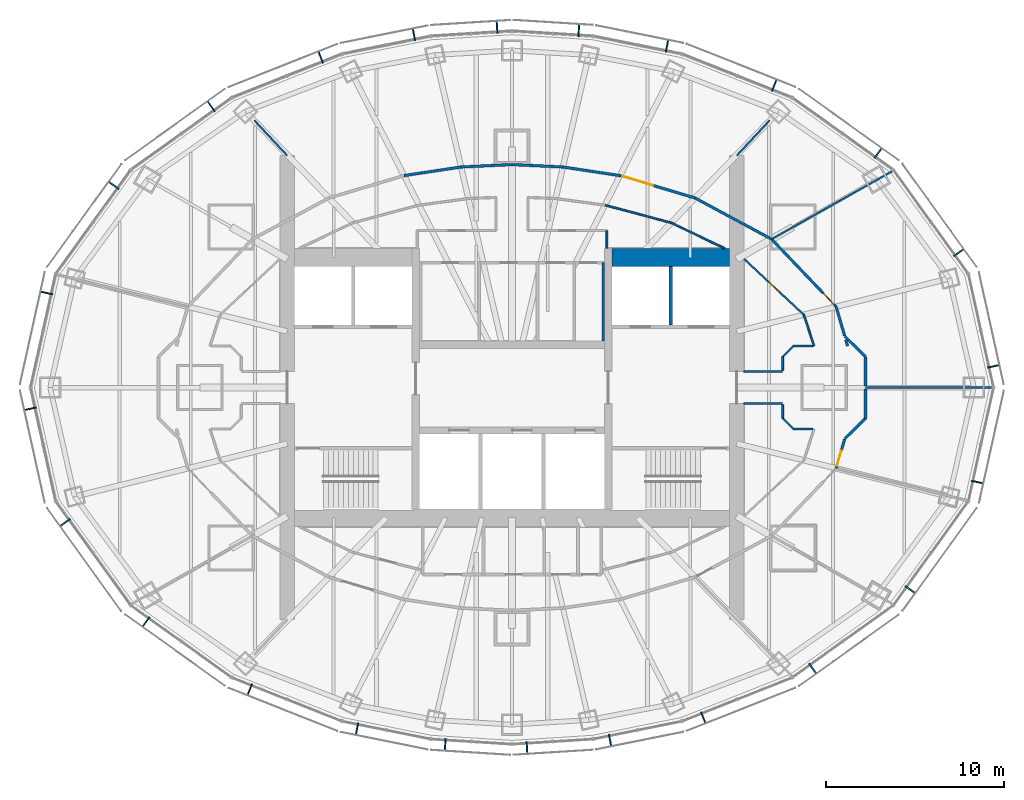
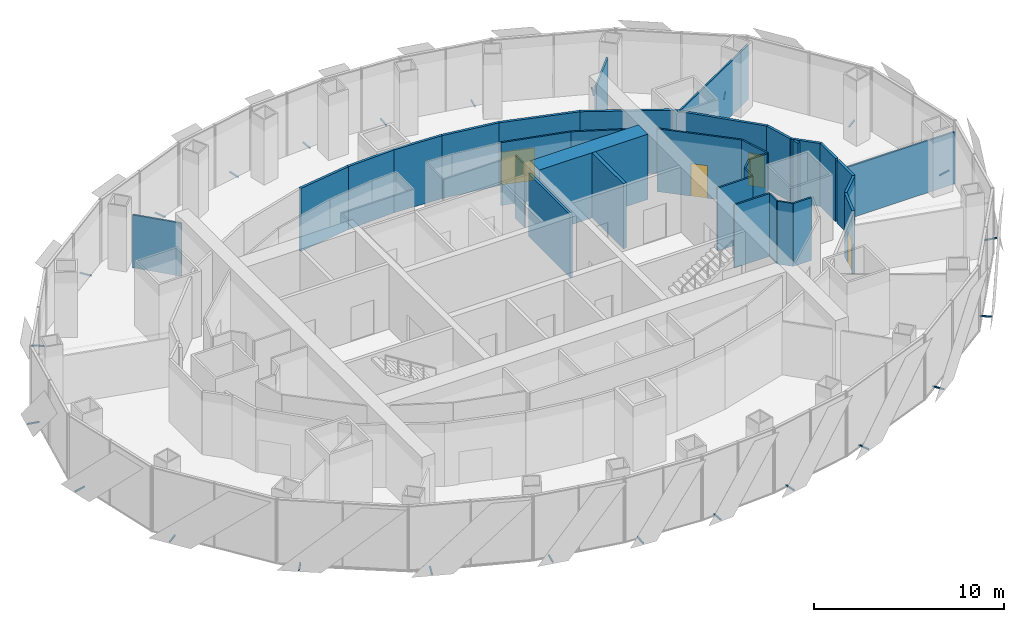
# One storey, part 14 of 17: 34 walls, 24 discrete accessories, 4 doors, 4 openings.
"""IFC4 building model written with IfcOpenShell, lengths in metres."""

from ifc_helpers import new_model, si_unit, direction, frame, frame_2d, origin, origin_2d, place, context, subcontext, project, spatial, rectangle, extrude, material, layer, layer_set, type_object, element, fill, save


model = new_model("IFC4")

# Units and contexts
model_context = context("Model", 3, precision=1e-05, world=origin(), true_north=direction((0.0, 1.0)))
body_context = subcontext(model_context, "Body", "Model", "MODEL_VIEW")
ifc_project = project(units=[si_unit("LENGTHUNIT", "METRE"), si_unit("AREAUNIT", "SQUARE_METRE"), si_unit("VOLUMEUNIT", "CUBIC_METRE"), si_unit("PLANEANGLEUNIT", "RADIAN"), si_unit("MASSUNIT", "GRAM", prefix="KILO")], contexts=[model_context])

# Site, building, storey
site_placement = place(None, origin())
site = spatial("IfcSite", under=ifc_project, at=site_placement, CompositionType="ELEMENT")
building_placement = place(site_placement, origin())
building = spatial("IfcBuilding", under=site, at=building_placement, Name="Lantaw Convention Tower", CompositionType="ELEMENT")
storey_placement = place(building_placement, frame((0.0, 0.0, 207.39990234375)))
storey = spatial("IfcBuildingStorey", under=building, at=storey_placement, Name="L48", CompositionType="ELEMENT", Elevation=207.39990234375)

# Wall
ifc_material_1 = material(Name="Concrete C60/75", Category="concrete")
ifc_layer_1 = layer(ifc_material_1, 1.0)
ifc_layer_set_1 = layer_set([ifc_layer_1], Name="Core wall 1000")
wall_type_1 = type_object("IfcWallType", Name="Core wall 1000", PredefinedType="SHEAR", material=ifc_layer_set_1)
wall_1_placement = place(storey_placement, frame((12.199951171875, 7.300048828125, 0.0), z_axis=(0.0, 0.0, 1.0), x_axis=(-1.0, 0.0, 0.0)))
element("IfcWall", 1, at=wall_1_placement, inside=storey, type_object=wall_type_1, Name="Core wall NE", PredefinedType="SHEAR", context=body_context, shape_type="SweptSolid", body=[
    extrude(rectangle(XDim=6.599853515625, YDim=1.0, at=frame_2d((3.2998046875, 0.0))), origin(), (0.0, 0.0, 1.0), 4.2001953125),
])

# Wall, opening, door
ifc_material_2 = material(Name="Gypsum board on steel studs, fire rated", Category="steel")
ifc_layer_2 = layer(ifc_material_2, 0.14990234375)
ifc_layer_set_2 = layer_set([ifc_layer_2], Name="Corridor wall 150 EI 60")
wall_type_2 = type_object("IfcWallType", Name="Corridor wall 150 EI 60", PredefinedType="PARTITIONING", material=ifc_layer_set_2)
wall_2_placement = place(storey_placement, frame((18.173583984375, 4.53125, 0.0), z_axis=(0.0, 0.0, 1.0), x_axis=(-0.690768413292, 0.723076067366, 0.0)))
wall_2 = element("IfcWall", 2, at=wall_2_placement, inside=storey, type_object=wall_type_2, Name="Corridor wall 150", PredefinedType="PARTITIONING", context=body_context, shape_type="SweptSolid", body=[
    extrude(rectangle(XDim=5.23681640625, YDim=0.14990234375, at=frame_2d((2.618408203125, 0.0))), origin(), (0.0, 0.0, 1.0), 4.050048828125),
])
opening_1_placement = place(wall_2_placement, frame((0.14990234375, 0.0, 0.0)))
opening_1 = element("IfcOpeningElement", 3, at=opening_1_placement, cuts=wall_2, Name="Opening L48.30", PredefinedType="OPENING", context=body_context, shape_type="SweptSolid", body=[
    extrude(rectangle(XDim=0.89990234375, YDim=2.10009765625, at=frame_2d((0.449951171875, 1.050048828125))), frame((0.0, 0.0849609375, 0.0), z_axis=(0.0, -1.0, 0.0), x_axis=(1.0, 0.0, 0.0)), (0.0, 0.0, 1.0), 0.169921875),
])
ifc_material_3 = material(Name="Steel, fire rated", Category="steel")
door_type_1 = type_object("IfcDoorType", Name="Office door 900 FD30", OperationType="SINGLE_SWING_LEFT", PredefinedType="DOOR", material=ifc_material_3)
door_1_placement = place(opening_1_placement, origin())
door_1 = element("IfcDoor", 4, at=door_1_placement, inside=storey, type_object=door_type_1, Name="Reception door", OperationType="SINGLE_SWING_LEFT", OverallHeight=2.10009765625, OverallWidth=0.89990234375, PredefinedType="DOOR", context=body_context, shape_type="SweptSolid", body=[
    extrude(rectangle(XDim=0.89990234375, YDim=2.10009765625, at=frame_2d((0.449951171875, 1.050048828125))), frame((0.0, 0.02490234375, 0.0), z_axis=(0.0, -1.0, 0.0), x_axis=(1.0, 0.0, 0.0)), (0.0, 0.0, 1.0), 0.050048828125),
])
fill(opening_1, door_1)

# Wall
wall_3_placement = place(storey_placement, frame((14.55615234375, 8.31787109375, 0.0), z_axis=(0.0, 0.0, 1.0), x_axis=(-0.88053863253, 0.47397438393, 0.0)))
element("IfcWall", 5, at=wall_3_placement, inside=storey, type_object=wall_type_2, Name="Corridor wall 150", PredefinedType="PARTITIONING", context=body_context, shape_type="SweptSolid", body=[
    extrude(rectangle(XDim=4.874755859375, YDim=0.14990234375, at=frame_2d((2.4375, 0.0))), origin(), (0.0, 0.0, 1.0), 4.050048828125),
])

# Wall, opening, door
wall_4_placement = place(storey_placement, frame((10.263671875, 10.62841796875, 0.0), z_axis=(0.0, 0.0, 1.0), x_axis=(-0.958384389306, 0.285480931648, 0.0)))
wall_4 = element("IfcWall", 6, at=wall_4_placement, inside=storey, type_object=wall_type_2, Name="Corridor wall 150", PredefinedType="PARTITIONING", context=body_context, shape_type="SweptSolid", body=[
    extrude(rectangle(XDim=4.392333984375, YDim=0.14990234375, at=frame_2d((2.1962890625, 0.0))), origin(), (0.0, 0.0, 1.0), 4.050048828125),
])
opening_2_placement = place(wall_4_placement, frame((2.442138671875, 0.0, 0.0)))
opening_2 = element("IfcOpeningElement", 7, at=opening_2_placement, cuts=wall_4, Name="Opening L48.31", PredefinedType="OPENING", context=body_context, shape_type="SweptSolid", body=[
    extrude(rectangle(XDim=1.800048828125, YDim=2.10009765625, at=frame_2d((0.89990234375, 1.050048828125))), frame((0.0, 0.0849609375, 0.0), z_axis=(0.0, -1.0, 0.0), x_axis=(1.0, 0.0, 0.0)), (0.0, 0.0, 1.0), 0.169921875),
])
door_type_2 = type_object("IfcDoorType", Name="Office double door 1800 FD30", OperationType="DOUBLE_DOOR_DOUBLE_SWING", PredefinedType="DOOR", material=ifc_material_3)
door_2_placement = place(opening_2_placement, origin())
door_2 = element("IfcDoor", 8, at=door_2_placement, inside=storey, type_object=door_type_2, Name="Open office door", OperationType="DOUBLE_DOOR_DOUBLE_SWING", OverallHeight=2.10009765625, OverallWidth=1.800048828125, PredefinedType="DOOR", context=body_context, shape_type="SweptSolid", body=[
    extrude(rectangle(XDim=1.800048828125, YDim=2.10009765625, at=frame_2d((0.89990234375, 1.050048828125))), frame((0.0, 0.02490234375, 0.0), z_axis=(0.0, -1.0, 0.0), x_axis=(1.0, 0.0, 0.0)), (0.0, 0.0, 1.0), 0.050048828125),
])
fill(opening_2, door_2)

# Walls
wall_5_placement = place(storey_placement, frame((6.05419921875, 11.88232421875, 0.0), z_axis=(0.0, 0.0, 1.0), x_axis=(-0.988800347251, 0.149244340852, 0.0)))
element("IfcWall", 9, at=wall_5_placement, inside=storey, type_object=wall_type_2, Name="Corridor wall 150", PredefinedType="PARTITIONING", context=body_context, shape_type="SweptSolid", body=[
    extrude(rectangle(XDim=3.235595703125, YDim=0.14990234375, at=frame_2d((1.61767578125, 0.0))), origin(), (0.0, 0.0, 1.0), 4.050048828125),
])
for number, where, z_axis, x_axis, name in (
    (10, (2.854736328125, 12.365234375, 0.0), (0.0, 0.0, 1.0), (-0.998887574055, 0.047155216016, 0.0), "Corridor wall 150"),
    (11, (0.0, 12.5, 0.0), (0.0, 0.0, 1.0), (-0.998887574055, -0.047155216016, 0.0), "Corridor wall 150"),
):
    element("IfcWall", number, at=place(storey_placement, frame(where, z_axis=z_axis, x_axis=x_axis)), inside=storey, type_object=wall_type_2, Name=name, PredefinedType="PARTITIONING", context=body_context, shape_type="SweptSolid", body=[
        extrude(rectangle(XDim=2.85791015625, YDim=0.14990234375, at=frame_2d((1.428955078125, 0.0))), origin(), (0.0, 0.0, 1.0), 4.050048828125),
    ])
wall_6_placement = place(storey_placement, frame((-2.854736328125, 12.365234375, 0.0), z_axis=(0.0, 0.0, 1.0), x_axis=(-0.988800347251, -0.149244340852, 0.0)))
element("IfcWall", 12, at=wall_6_placement, inside=storey, type_object=wall_type_2, Name="Corridor wall 150", PredefinedType="PARTITIONING", context=body_context, shape_type="SweptSolid", body=[
    extrude(rectangle(XDim=3.235595703125, YDim=0.14990234375, at=frame_2d((1.61767578125, 0.0))), origin(), (0.0, 0.0, 1.0), 4.050048828125),
])
wall_7_placement = place(storey_placement, frame((18.653076171875, 2.893798828125, 0.0), z_axis=(0.0, 0.0, 1.0), x_axis=(-0.281027335084, 0.959699763955, 0.0)))
element("IfcWall", 13, at=wall_7_placement, inside=storey, type_object=wall_type_2, Name="Corridor wall 150", PredefinedType="PARTITIONING", context=body_context, shape_type="SweptSolid", body=[
    extrude(rectangle(XDim=1.706298828125, YDim=0.14990234375, at=frame_2d((0.85302734375, 0.0))), origin(), (0.0, 0.0, 1.0), 4.050048828125),
])

# Wall, opening, door
wall_8_placement = place(storey_placement, frame((18.173583984375, -4.53125, 0.0), z_axis=(0.0, 0.0, 1.0), x_axis=(0.281027335084, 0.959699763955, 0.0)))
wall_8 = element("IfcWall", 14, at=wall_8_placement, inside=storey, type_object=wall_type_2, Name="Corridor wall 150", PredefinedType="PARTITIONING", context=body_context, shape_type="SweptSolid", body=[
    extrude(rectangle(XDim=1.706298828125, YDim=0.14990234375, at=frame_2d((0.85302734375, 0.0))), origin(), (0.0, 0.0, 1.0), 4.050048828125),
])
opening_3_placement = place(wall_8_placement, frame((0.14990234375, 0.0, 0.0)))
opening_3 = element("IfcOpeningElement", 15, at=opening_3_placement, cuts=wall_8, Name="Opening L48.36", PredefinedType="OPENING", context=body_context, shape_type="SweptSolid", body=[
    extrude(rectangle(XDim=0.89990234375, YDim=2.10009765625, at=frame_2d((0.449951171875, 1.050048828125))), frame((0.0, 0.0849609375, 0.0), z_axis=(0.0, -1.0, 0.0), x_axis=(1.0, 0.0, 0.0)), (0.0, 0.0, 1.0), 0.169921875),
])
door_3_placement = place(opening_3_placement, origin())
door_3 = element("IfcDoor", 16, at=door_3_placement, inside=storey, type_object=door_type_1, Name="Meeting room door", OperationType="SINGLE_SWING_LEFT", OverallHeight=2.10009765625, OverallWidth=0.89990234375, PredefinedType="DOOR", context=body_context, shape_type="SweptSolid", body=[
    extrude(rectangle(XDim=0.89990234375, YDim=2.10009765625, at=frame_2d((0.449951171875, 1.050048828125))), frame((0.0, 0.02490234375, 0.0), z_axis=(0.0, -1.0, 0.0), x_axis=(1.0, 0.0, 0.0)), (0.0, 0.0, 1.0), 0.050048828125),
])
fill(opening_3, door_3)

# Walls
wall_9_placement = place(storey_placement, frame((18.666259765625, 2.866455078125, 0.0), z_axis=(0.0, 0.0, 1.0), x_axis=(0.712265481509, -0.701910167935, 0.0)))
element("IfcWall", 17, at=wall_9_placement, inside=storey, type_object=wall_type_2, Name="Corridor wall 150", PredefinedType="PARTITIONING", context=body_context, shape_type="SweptSolid", body=[
    extrude(rectangle(XDim=1.626708984375, YDim=0.14990234375, at=frame_2d((0.8134765625, 0.0))), origin(), (0.0, 0.0, 1.0), 4.050048828125),
])
for number, where, z_axis, x_axis, name in (
    (18, (19.824951171875, 1.724609375, 0.0), (0.0, 0.0, 1.0), (0.0, -1.0, 0.0), "Corridor wall 150"),
    (19, (19.824951171875, -0.078125, 0.0), (0.0, 0.0, 1.0), (0.0, -1.0, 0.0), "Corridor wall 150"),
):
    element("IfcWall", number, at=place(storey_placement, frame(where, z_axis=z_axis, x_axis=x_axis)), inside=storey, type_object=wall_type_2, Name=name, PredefinedType="PARTITIONING", context=body_context, shape_type="SweptSolid", body=[
        extrude(rectangle(XDim=1.646484375, YDim=0.14990234375, at=frame_2d((0.8232421875, 0.0))), origin(), (0.0, 0.0, 1.0), 4.050048828125),
    ])
wall_10_placement = place(storey_placement, frame((19.824951171875, -1.724609375, 0.0), z_axis=(0.0, 0.0, 1.0), x_axis=(-0.712265481509, -0.701910167935, 0.0)))
element("IfcWall", 20, at=wall_10_placement, inside=storey, type_object=wall_type_2, Name="Corridor wall 150", PredefinedType="PARTITIONING", context=body_context, shape_type="SweptSolid", body=[
    extrude(rectangle(XDim=1.626708984375, YDim=0.14990234375, at=frame_2d((0.8134765625, 0.0))), origin(), (0.0, 0.0, 1.0), 4.050048828125),
])
wall_11_placement = place(storey_placement, frame((18.819580078125, 2.324951171875, 0.0), z_axis=(0.0, 0.0, 1.0), x_axis=(-0.281366391393, 0.959600413607, 0.0)))
element("IfcWall", 21, at=wall_11_placement, inside=storey, type_object=wall_type_2, Name="Corridor wall 150", PredefinedType="PARTITIONING", context=body_context, shape_type="SweptSolid", body=[
    extrude(rectangle(XDim=0.363525390625, YDim=0.14990234375, at=frame_2d((0.181640625, 0.0))), origin(), (0.0, 0.0, 1.0), 4.050048828125),
])
ifc_material_4 = material(Name="Gypsum board on steel studs, acoustic", Category="steel")
ifc_layer_3 = layer(ifc_material_4, 0.10009765625)
ifc_layer_set_3 = layer_set([ifc_layer_3], Name="Office partition 100")
wall_type_3 = type_object("IfcWallType", Name="Office partition 100", PredefinedType="PARTITIONING", material=ifc_layer_set_3)
wall_12_placement = place(storey_placement, frame((21.3583984375, 12.149658203125, 0.0), z_axis=(0.0, 0.0, 1.0), x_axis=(-0.871273053995, -0.490798599614, 0.0)))
element("IfcWall", 22, at=wall_12_placement, inside=storey, type_object=wall_type_3, Name="Office partition 100", PredefinedType="PARTITIONING", context=body_context, shape_type="SweptSolid", body=[
    extrude(rectangle(XDim=7.80712890625, YDim=0.10009765625, at=frame_2d((3.903564453125, 0.0))), origin(), (0.0, 0.0, 1.0), 3.5244140625),
])

# Wall, opening, door
wall_13_placement = place(storey_placement, frame((13.0, 7.22216796875, 0.0), z_axis=(0.0, 0.0, 1.0), x_axis=(0.730651186567, -0.682750938167, 0.0)))
wall_13 = element("IfcWall", 23, at=wall_13_placement, inside=storey, type_object=wall_type_3, Name="Office partition 100", PredefinedType="PARTITIONING", context=body_context, shape_type="SweptSolid", body=[
    extrude(rectangle(XDim=4.6025390625, YDim=0.10009765625, at=frame_2d((2.30126953125, 0.0))), origin(), (0.0, 0.0, 1.0), 4.050048828125),
])
opening_4_placement = place(wall_13_placement, frame((1.851318359375, 0.0, 0.0)))
opening_4 = element("IfcOpeningElement", 24, at=opening_4_placement, cuts=wall_13, Name="Opening L48.26", PredefinedType="OPENING", context=body_context, shape_type="SweptSolid", body=[
    extrude(rectangle(XDim=0.89990234375, YDim=2.10009765625, at=frame_2d((0.449951171875, 1.050048828125))), frame((0.0, 0.06005859375, 0.0), z_axis=(0.0, -1.0, 0.0), x_axis=(1.0, 0.0, 0.0)), (0.0, 0.0, 1.0), 0.1201171875),
])
ifc_material_5 = material(Name="Timber", Category="wood")
door_type_3 = type_object("IfcDoorType", Name="Office door 900", OperationType="SINGLE_SWING_LEFT", PredefinedType="DOOR", material=ifc_material_5)
door_4_placement = place(opening_4_placement, origin())
door_4 = element("IfcDoor", 25, at=door_4_placement, inside=storey, type_object=door_type_3, Name="Copy and print room door", OperationType="SINGLE_SWING_LEFT", OverallHeight=2.10009765625, OverallWidth=0.89990234375, PredefinedType="DOOR", context=body_context, shape_type="SweptSolid", body=[
    extrude(rectangle(XDim=0.89990234375, YDim=2.10009765625, at=frame_2d((0.449951171875, 1.050048828125))), frame((0.0, 0.02490234375, 0.0), z_axis=(0.0, -1.0, 0.0), x_axis=(1.0, 0.0, 0.0)), (0.0, 0.0, 1.0), 0.050048828125),
])
fill(opening_4, door_4)

# Walls
wall_14_placement = place(storey_placement, frame((5.320068359375, 7.800048828125, 0.0), z_axis=(0.0, 0.0, 1.0), x_axis=(0.0, 1.0, 0.0)))
element("IfcWall", 26, at=wall_14_placement, inside=storey, type_object=wall_type_3, Name="Office partition 100", PredefinedType="PARTITIONING", context=body_context, shape_type="SweptSolid", body=[
    extrude(rectangle(XDim=1.0, YDim=0.10009765625, at=frame_2d((0.5, 0.0))), origin(), (0.0, 0.0, 1.0), 4.050048828125),
])
wall_15_placement = place(storey_placement, frame((5.21044921875, 10.225830078125, 0.0), z_axis=(0.0, 0.0, 1.0), x_axis=(0.966562200797, -0.256432275641, 0.0)))
element("IfcWall", 27, at=wall_15_placement, inside=storey, type_object=wall_type_3, Name="Office partition 100", PredefinedType="PARTITIONING", context=body_context, shape_type="SweptSolid", body=[
    extrude(rectangle(XDim=3.841552734375, YDim=0.10009765625, at=frame_2d((1.9208984375, 0.0))), origin(), (0.0, 0.0, 1.0), 4.050048828125),
])
wall_16_placement = place(storey_placement, frame((8.923583984375, 9.24072265625, 0.0), z_axis=(0.0, 0.0, 1.0), x_axis=(0.901553947207, -0.432666708073, 0.0)))
element("IfcWall", 28, at=wall_16_placement, inside=storey, type_object=wall_type_3, Name="Office partition 100", PredefinedType="PARTITIONING", context=body_context, shape_type="SweptSolid", body=[
    extrude(rectangle(XDim=3.329833984375, YDim=0.10009765625, at=frame_2d((1.6650390625, 0.0))), origin(), (0.0, 0.0, 1.0), 4.050048828125),
])
for number, where, z_axis, x_axis, name in (
    (29, (12.60009765625, 13.0, 0.0), (0.0, 0.0, 1.0), (0.682434118301, 0.730947107648, 0.0), "Office partition 100"),
    (30, (-12.60009765625, 13.0, 0.0), (0.0, 0.0, 1.0), (-0.682434118301, 0.730947107648, 0.0), "Office partition 100"),
):
    element("IfcWall", number, at=place(storey_placement, frame(where, z_axis=z_axis, x_axis=x_axis)), inside=storey, type_object=wall_type_3, Name=name, PredefinedType="PARTITIONING", context=body_context, shape_type="SweptSolid", body=[
        extrude(rectangle(XDim=2.702392578125, YDim=0.10009765625, at=frame_2d((1.35107421875, 0.0))), origin(), (0.0, 0.0, 1.0), 3.409912109375),
    ])
wall_17_placement = place(storey_placement, frame((26.944091796875, 0.0, 0.0), z_axis=(0.0, 0.0, 1.0), x_axis=(-1.0, 0.0, 0.0)))
element("IfcWall", 31, at=wall_17_placement, inside=storey, type_object=wall_type_3, Name="Office partition 100", PredefinedType="PARTITIONING", context=body_context, shape_type="SweptSolid", body=[
    extrude(rectangle(XDim=7.109130859375, YDim=0.10009765625, at=frame_2d((3.5546875, 0.0))), origin(), (0.0, 0.0, 1.0), 3.34912109375),
])
wall_18_placement = place(storey_placement, frame((13.0, -0.89990234375, 0.0), z_axis=(0.0, 0.0, 1.0), x_axis=(1.0, 0.0, 0.0)))
element("IfcWall", 32, at=wall_18_placement, inside=storey, type_object=wall_type_3, Name="Office partition 100", PredefinedType="PARTITIONING", context=body_context, shape_type="SweptSolid", body=[
    extrude(rectangle(XDim=2.1650390625, YDim=0.10009765625, at=frame_2d((1.08251953125, 0.0))), origin(), (0.0, 0.0, 1.0), 4.050048828125),
])
wall_19_placement = place(storey_placement, frame((16.36279296875, 4.079833984375, 0.0), z_axis=(0.0, 0.0, 1.0), x_axis=(0.311517212063, -0.950240509865, 0.0)))
element("IfcWall", 33, at=wall_19_placement, inside=storey, type_object=wall_type_3, Name="Office partition 100", PredefinedType="PARTITIONING", context=body_context, shape_type="SweptSolid", body=[
    extrude(rectangle(XDim=1.836181640625, YDim=0.10009765625, at=frame_2d((0.91796875, 0.0))), origin(), (0.0, 0.0, 1.0), 4.050048828125),
])
wall_20_placement = place(storey_placement, frame((15.1650390625, 0.89990234375, 0.0), z_axis=(0.0, 0.0, 1.0), x_axis=(-1.0, 0.0, 0.0)))
element("IfcWall", 34, at=wall_20_placement, inside=storey, type_object=wall_type_3, Name="Office partition 100", PredefinedType="PARTITIONING", context=body_context, shape_type="SweptSolid", body=[
    extrude(rectangle(XDim=2.1650390625, YDim=0.10009765625, at=frame_2d((1.08251953125, 0.0))), origin(), (0.0, 0.0, 1.0), 4.050048828125),
])
wall_21_placement = place(storey_placement, frame((16.853759765625, -2.324951171875, 0.0), z_axis=(0.0, 0.0, 1.0), x_axis=(-1.0, 0.0, 0.0)))
element("IfcWall", 35, at=wall_21_placement, inside=storey, type_object=wall_type_3, Name="Office partition 100", PredefinedType="PARTITIONING", context=body_context, shape_type="SweptSolid", body=[
    extrude(rectangle(XDim=1.078369140625, YDim=0.10009765625, at=frame_2d((0.5390625, 0.0))), origin(), (0.0, 0.0, 1.0), 4.050048828125),
])
wall_22_placement = place(storey_placement, frame((15.775390625, -2.324951171875, 0.0), z_axis=(0.0, 0.0, 1.0), x_axis=(-0.707106781187, 0.707106781187, 0.0)))
element("IfcWall", 36, at=wall_22_placement, inside=storey, type_object=wall_type_3, Name="Office partition 100", PredefinedType="PARTITIONING", context=body_context, shape_type="SweptSolid", body=[
    extrude(rectangle(XDim=0.84912109375, YDim=0.10009765625, at=frame_2d((0.424560546875, 0.0))), origin(), (0.0, 0.0, 1.0), 4.050048828125),
])
for number, where, z_axis, x_axis, name in (
    (37, (15.175048828125, -1.724609375, 0.0), (0.0, 0.0, 1.0), (0.0, 1.0, 0.0), "Office partition 100"),
    (38, (15.175048828125, 0.978271484375, 0.0), (0.0, 0.0, 1.0), (0.0, 1.0, 0.0), "Office partition 100"),
):
    element("IfcWall", number, at=place(storey_placement, frame(where, z_axis=z_axis, x_axis=x_axis)), inside=storey, type_object=wall_type_3, Name=name, PredefinedType="PARTITIONING", context=body_context, shape_type="SweptSolid", body=[
        extrude(rectangle(XDim=0.746337890625, YDim=0.10009765625, at=frame_2d((0.373046875, 0.0))), origin(), (0.0, 0.0, 1.0), 4.050048828125),
    ])
wall_23_placement = place(storey_placement, frame((15.175048828125, 1.724609375, 0.0), z_axis=(0.0, 0.0, 1.0), x_axis=(0.707106781187, 0.707106781187, 0.0)))
element("IfcWall", 39, at=wall_23_placement, inside=storey, type_object=wall_type_3, Name="Office partition 100", PredefinedType="PARTITIONING", context=body_context, shape_type="SweptSolid", body=[
    extrude(rectangle(XDim=0.84912109375, YDim=0.10009765625, at=frame_2d((0.424560546875, 0.0))), origin(), (0.0, 0.0, 1.0), 4.050048828125),
])
wall_24_placement = place(storey_placement, frame((15.775390625, 2.324951171875, 0.0), z_axis=(0.0, 0.0, 1.0), x_axis=(1.0, 0.0, 0.0)))
element("IfcWall", 40, at=wall_24_placement, inside=storey, type_object=wall_type_3, Name="Office partition 100", PredefinedType="PARTITIONING", context=body_context, shape_type="SweptSolid", body=[
    extrude(rectangle(XDim=1.078369140625, YDim=0.10009765625, at=frame_2d((0.5390625, 0.0))), origin(), (0.0, 0.0, 1.0), 4.050048828125),
])
ifc_material_6 = material(Name="Concrete blockwork, fire rated", Category="masonry")
ifc_layer_4 = layer(ifc_material_6, 0.199951171875)
ifc_layer_set_4 = layer_set([ifc_layer_4], Name="Shaft wall 200")
wall_type_4 = type_object("IfcWallType", Name="Shaft wall 200", PredefinedType="SOLIDWALL", material=ifc_layer_set_4)
wall_25_placement = place(storey_placement, frame((8.89990234375, 3.5, 0.0), z_axis=(0.0, 0.0, 1.0), x_axis=(0.0, 1.0, 0.0)))
element("IfcWall", 41, at=wall_25_placement, inside=storey, type_object=wall_type_4, Name="Shaft wall ED", PredefinedType="SOLIDWALL", context=body_context, shape_type="SweptSolid", body=[
    extrude(rectangle(XDim=3.300048828125, YDim=0.199951171875, at=frame_2d((1.64990234375, 0.0))), origin(), (0.0, 0.0, 1.0), 4.2001953125),
])
ifc_material_7 = material(Name="Concrete blockwork", Category="masonry")
ifc_layer_5 = layer(ifc_material_7, 0.14990234375)
ifc_layer_set_5 = layer_set([ifc_layer_5], Name="WC wall 150")
wall_type_5 = type_object("IfcWallType", Name="WC wall 150", PredefinedType="SOLIDWALL", material=ifc_layer_set_5)
wall_26_placement = place(storey_placement, frame((5.1201171875, 2.60009765625, 0.0), z_axis=(0.0, 0.0, 1.0), x_axis=(0.0, 1.0, 0.0)))
element("IfcWall", 42, at=wall_26_placement, inside=storey, type_object=wall_type_5, Name="WC wall 150", PredefinedType="SOLIDWALL", context=body_context, shape_type="SweptSolid", body=[
    extrude(rectangle(XDim=4.39990234375, YDim=0.14990234375, at=frame_2d((2.199951171875, 0.0))), origin(), (0.0, 0.0, 1.0), 4.050048828125),
])

# Discrete accessories
for number, where, z_axis, x_axis, name in (
    (43, (27.002197265625, 1.189453125, -0.114990234375), (0.0, 0.0, 1.0), (-0.215891333626, 0.976417396437, 0.0), "Screen bracket"),
    (44, (25.05419921875, 7.564453125, -0.114990234375), (0.0, 0.0, 1.0), (-0.585157643865, 0.810919559405, 0.0), "Screen bracket"),
    (45, (20.524169921875, 13.14453125, -0.114990234375), (0.0, 0.0, 1.0), (-0.813672540482, 0.581323487281, 0.0), "Screen bracket"),
    (46, (14.707763671875, 16.94140625, -0.114990234375), (0.0, 0.0, 1.0), (-0.929761533743, 0.368162315252, 0.0), "Screen bracket"),
    (47, (8.68896484375, 19.145751953125, -0.114990234375), (0.0, 0.0, 1.0), (-0.980366679695, 0.197183095987, 0.0), "Screen bracket"),
    (48, (3.743896484375, 20.024169921875, -0.114990234375), (0.0, 0.0, 1.0), (-0.998028774865, 0.062757983884, 0.0), "Screen bracket"),
    (49, (-0.83984375, 20.206787109375, -0.114990234375), (0.0, 0.0, 1.0), (-0.998028774865, -0.062757983884, 0.0), "Screen bracket"),
    (50, (-5.49853515625, 19.78759765625, -0.114990234375), (0.0, 0.0, 1.0), (-0.980366679695, -0.197183095987, 0.0), "Screen bracket"),
    (51, (-10.7255859375, 18.518310546875, -0.114990234375), (0.0, 0.0, 1.0), (-0.929761533743, -0.368162315252, 0.0), "Screen bracket"),
    (52, (-16.863525390625, 15.759765625, -0.114990234375), (0.0, 0.0, 1.0), (-0.813672540482, -0.581323487281, 0.0), "Screen bracket"),
    (53, (-22.333251953125, 11.3349609375, -0.114990234375), (0.0, 0.0, 1.0), (-0.585157643865, -0.810919559405, 0.0), "Screen bracket"),
    (54, (-26.0927734375, 5.302490234375, -0.114990234375), (0.0, 0.0, 1.0), (-0.215891333626, -0.976417396437, 0.0), "Screen bracket"),
    (55, (-27.002197265625, -1.189453125, -0.114990234375), (0.0, 0.0, 1.0), (0.215891333626, -0.976417396437, 0.0), "Screen bracket"),
    (56, (-25.05419921875, -7.564453125, -0.114990234375), (0.0, 0.0, 1.0), (0.585157643865, -0.810919559405, 0.0), "Screen bracket"),
    (57, (-20.524169921875, -13.14453125, -0.114990234375), (0.0, 0.0, 1.0), (0.813672540482, -0.581323487281, 0.0), "Screen bracket"),
    (58, (-14.707763671875, -16.94140625, -0.114990234375), (0.0, 0.0, 1.0), (0.929761533743, -0.368162315252, 0.0), "Screen bracket"),
    (59, (-8.68896484375, -19.145751953125, -0.114990234375), (0.0, 0.0, 1.0), (0.980366679695, -0.197183095987, 0.0), "Screen bracket"),
    (60, (-3.743896484375, -20.024169921875, -0.114990234375), (0.0, 0.0, 1.0), (0.998028774865, -0.062757983884, 0.0), "Screen bracket"),
    (61, (0.83984375, -20.206787109375, -0.114990234375), (0.0, 0.0, 1.0), (0.998028774865, 0.062757983884, 0.0), "Screen bracket"),
    (62, (5.49853515625, -19.78759765625, -0.114990234375), (0.0, 0.0, 1.0), (0.980366679695, 0.197183095987, 0.0), "Screen bracket"),
    (63, (10.7255859375, -18.518310546875, -0.114990234375), (0.0, 0.0, 1.0), (0.929761533743, 0.368162315252, 0.0), "Screen bracket"),
    (64, (16.863525390625, -15.759765625, -0.114990234375), (0.0, 0.0, 1.0), (0.813672540482, 0.581323487281, 0.0), "Screen bracket"),
    (65, (22.333251953125, -11.3349609375, -0.114990234375), (0.0, 0.0, 1.0), (0.585157643865, 0.810919559405, 0.0), "Screen bracket"),
    (66, (26.0927734375, -5.302490234375, -0.114990234375), (0.0, 0.0, 1.0), (0.215891333626, 0.976417396437, 0.0), "Screen bracket"),
):
    element("IfcDiscreteAccessory", number, at=place(storey_placement, frame(where, z_axis=z_axis, x_axis=x_axis)), inside=storey, Name=name, PredefinedType="BRACKET", context=body_context, shape_type="SweptSolid", body=[
        extrude(rectangle(XDim=0.080078125, YDim=0.68798828125, at=origin_2d()), origin(), (0.0, 0.0, 1.0), 0.080078125),
    ])

save(model, "model.ifc")
